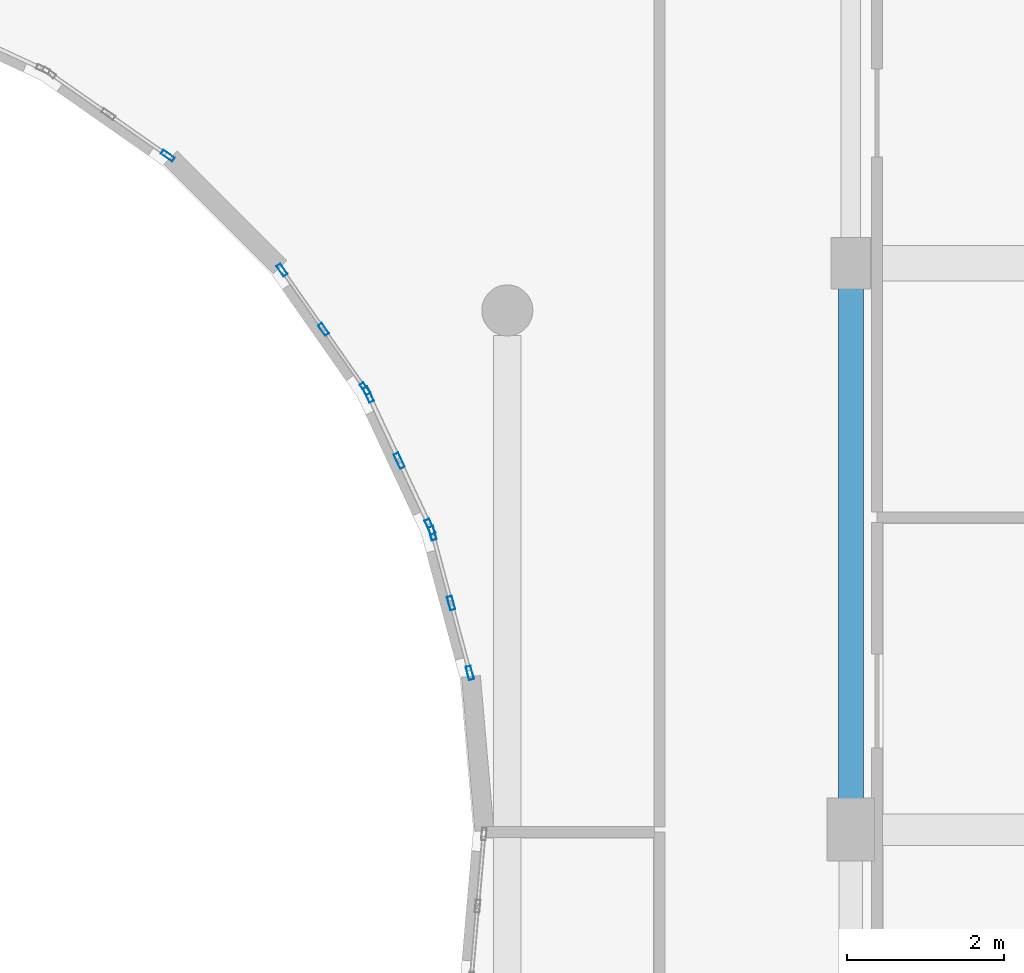
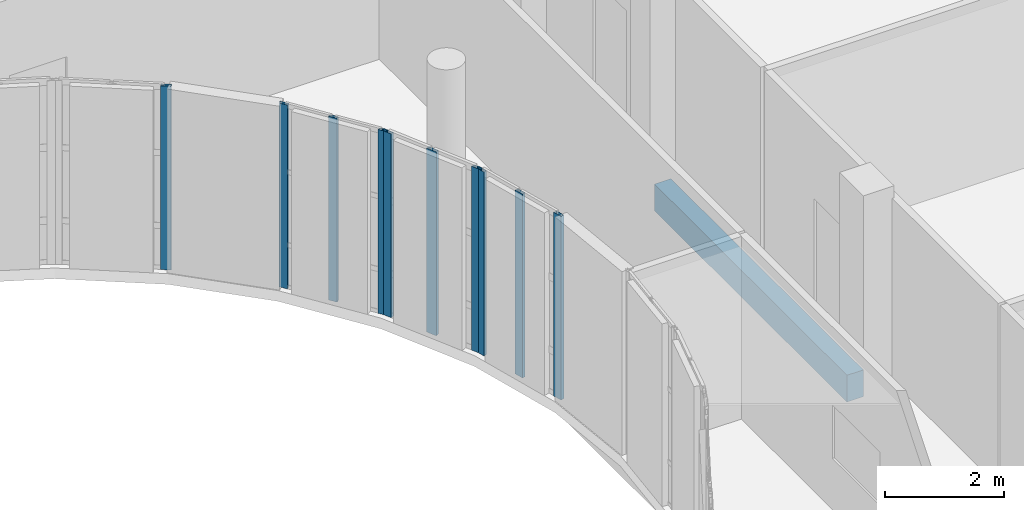
# One storey, part 33 of 89: 10 members, 1 beam, 4 elements without a shape of their own.
"""IFC4 building model written with IfcOpenShell, lengths in metres."""

from ifc_helpers import new_model, si_unit, direction, frame, origin, origin_2d, place, context, subcontext, project, spatial, rectangle, hollow_rectangle, extrude, material, layer, layer_set, material_profile, profile_set, type_object, element, aggregate, save


model = new_model("IFC4")

# Units and contexts
model_context = context("Model", 3, precision=1e-05, world=origin(), true_north=direction((0.0, 1.0)))
body_context = subcontext(model_context, "Body", "Model", "MODEL_VIEW")
ifc_project = project(units=[si_unit("LENGTHUNIT", "METRE"), si_unit("AREAUNIT", "SQUARE_METRE"), si_unit("VOLUMEUNIT", "CUBIC_METRE"), si_unit("PLANEANGLEUNIT", "RADIAN"), si_unit("MASSUNIT", "GRAM", prefix="KILO")], contexts=[model_context])

# Site, building, storey
site_placement = place(None, origin())
site = spatial("IfcSite", under=ifc_project, at=site_placement, CompositionType="ELEMENT")
building_placement = place(site_placement, origin())
building = spatial("IfcBuilding", under=site, at=building_placement, Name="Kelanivale Promenade Academy", CompositionType="ELEMENT")
storey_placement = place(building_placement, frame((0.0, 0.0, 12.199951171875)))
storey = spatial("IfcBuildingStorey", under=building, at=storey_placement, Name="L03", CompositionType="ELEMENT", Elevation=12.199951171875)

# Curtain wall, members
ifc_material_1 = material(Name="Bronze anodised aluminium and solar-control low-E glass", Category="aluminium")
ifc_layer_1 = layer(ifc_material_1, 0.169921875)
ifc_layer_set_1 = layer_set([ifc_layer_1], Name="Bronze anodised aluminium and solar-control low-E glass")
curtain_wall_type_1 = type_object("IfcCurtainWallType", Name="CW-13 Curtain Wall 1350mm Module", PredefinedType="USERDEFINED", material=ifc_layer_set_1)
curtain_wall_1_placement = place(storey_placement, origin())
curtain_wall_1 = element("IfcCurtainWall", 1, at=curtain_wall_1_placement, inside=storey, type_object=curtain_wall_type_1, Name="L03 courtyard curtain wall CW-13", ObjectType="COURTYARD SCREEN GLAZING", PredefinedType="USERDEFINED")
ifc_material_2 = material(Name="Bronze anodised aluminium EN AW-6063 T6", Category="aluminium")
ifc_material_profile_1 = material_profile(ifc_material_2, hollow_rectangle(XDim=0.06005859375, YDim=0.159912109375, WallThickness=0.00390625, at=origin_2d()), Name="ALU 60x160x4.0")
ifc_profile_set_1 = profile_set([ifc_material_profile_1], Name="Bronze anodised aluminium EN AW-6063 T6")
member_type_1 = type_object("IfcMemberType", Name="CWM-01 ALU 60x160x4.0", PredefinedType="MULLION", material=ifc_profile_set_1)
member_1_placement = place(storey_placement, frame((73.023681640625, 62.404541015625, 0.0), z_axis=(0.0, 0.0, 1.0), x_axis=(-0.819305982099, -0.573356527561, 0.0)))
member_1 = element("IfcMember", 2, at=member_1_placement, type_object=member_type_1, Name="CW-13 mullion 1", PredefinedType="MULLION", context=body_context, shape_type="SweptSolid", body=[
    extrude(hollow_rectangle(XDim=0.06005859375, YDim=0.159912109375, WallThickness=0.00390625, at=origin_2d()), origin(), (0.0, 0.0, 1.0), 3.780029296875),
])
member_2_placement = place(storey_placement, frame((72.49560546875, 63.159423828125, 0.0), z_axis=(0.0, 0.0, 1.0), x_axis=(-0.819305982099, -0.573356527561, 0.0)))
member_2 = element("IfcMember", 3, at=member_2_placement, type_object=member_type_1, Name="CW-13 mullion 2", PredefinedType="MULLION", context=body_context, shape_type="SweptSolid", body=[
    extrude(hollow_rectangle(XDim=0.06005859375, YDim=0.159912109375, WallThickness=0.00390625, at=origin_2d()), origin(), (0.0, 0.0, 1.0), 3.780029296875),
])
member_3_placement = place(storey_placement, frame((71.96728515625, 63.914306640625, 0.0), z_axis=(0.0, 0.0, 1.0), x_axis=(-0.819305982099, -0.573356527561, 0.0)))
member_3 = element("IfcMember", 4, at=member_3_placement, type_object=member_type_1, Name="CW-13 mullion 3", PredefinedType="MULLION", context=body_context, shape_type="SweptSolid", body=[
    extrude(hollow_rectangle(XDim=0.06005859375, YDim=0.159912109375, WallThickness=0.00390625, at=origin_2d()), origin(), (0.0, 0.0, 1.0), 3.780029296875),
])
aggregate(curtain_wall_1, [member_1, member_2, member_3])

# Curtain wall, member
ifc_layer_2 = layer(ifc_material_1, 0.179931640625)
ifc_layer_set_2 = layer_set([ifc_layer_2], Name="Bronze anodised aluminium and solar-control low-E glass")
curtain_wall_type_2 = type_object("IfcCurtainWallType", Name="CW-14 Curtain Wall 1500mm Module", PredefinedType="USERDEFINED", material=ifc_layer_set_2)
curtain_wall_2_placement = place(storey_placement, origin())
curtain_wall_2 = element("IfcCurtainWall", 5, at=curtain_wall_2_placement, inside=storey, type_object=curtain_wall_type_2, Name="L03 courtyard curtain wall CW-14", ObjectType="COURTYARD SCREEN GLAZING", PredefinedType="USERDEFINED")
ifc_material_profile_2 = material_profile(ifc_material_2, hollow_rectangle(XDim=0.06005859375, YDim=0.179931640625, WallThickness=0.00390625, at=origin_2d()), Name="ALU 60x180x4.0")
ifc_profile_set_2 = profile_set([ifc_material_profile_2], Name="Bronze anodised aluminium EN AW-6063 T6")
member_type_2 = type_object("IfcMemberType", Name="CWM-02 ALU 60x180x4.0", PredefinedType="MULLION", material=ifc_profile_set_2)
member_4_placement = place(storey_placement, frame((70.514404296875, 65.3671875, 0.0), z_axis=(0.0, 0.0, 1.0), x_axis=(-0.573356527561, -0.819305982099, 0.0)))
member_4 = element("IfcMember", 6, at=member_4_placement, type_object=member_type_2, Name="CW-14 mullion 1", PredefinedType="MULLION", context=body_context, shape_type="SweptSolid", body=[
    extrude(hollow_rectangle(XDim=0.06005859375, YDim=0.179931640625, WallThickness=0.00390625, at=origin_2d()), origin(), (0.0, 0.0, 1.0), 3.780029296875),
])
aggregate(curtain_wall_2, [member_4])

# Curtain wall, members
ifc_layer_3 = layer(ifc_material_1, 0.179931640625)
ifc_layer_set_3 = layer_set([ifc_layer_3], Name="Bronze anodised aluminium and solar-control low-E glass")
curtain_wall_type_3 = type_object("IfcCurtainWallType", Name="CW-11 Curtain Wall 1950mm Module", PredefinedType="USERDEFINED", material=ifc_layer_set_3)
curtain_wall_3_placement = place(storey_placement, origin())
curtain_wall_3 = element("IfcCurtainWall", 7, at=curtain_wall_3_placement, inside=storey, type_object=curtain_wall_type_3, Name="L03 courtyard curtain wall CW-11", ObjectType="UNITISED GLAZING", PredefinedType="USERDEFINED")
ifc_material_profile_3 = material_profile(ifc_material_2, hollow_rectangle(XDim=0.06494140625, YDim=0.175048828125, WallThickness=0.00390625, at=origin_2d()), Name="ALU 65x175x4.0")
ifc_profile_set_3 = profile_set([ifc_material_profile_3], Name="Bronze anodised aluminium EN AW-6063 T6")
member_type_3 = type_object("IfcMemberType", Name="CWM-03 ALU 65x175x4.0", PredefinedType="MULLION", material=ifc_profile_set_3)
member_5_placement = place(storey_placement, frame((74.355712890625, 58.79150390625, 0.0), z_axis=(0.0, 0.0, 1.0), x_axis=(-0.965990259056, -0.258578458902, 0.0)))
member_5 = element("IfcMember", 8, at=member_5_placement, type_object=member_type_3, Name="CW-11 mullion 1", PredefinedType="MULLION", context=body_context, shape_type="SweptSolid", body=[
    extrude(hollow_rectangle(XDim=0.06494140625, YDim=0.175048828125, WallThickness=0.00390625, at=origin_2d()), origin(), (0.0, 0.0, 1.0), 3.780029296875),
])
member_6_placement = place(storey_placement, frame((74.117919921875, 59.678955078125, 0.0), z_axis=(0.0, 0.0, 1.0), x_axis=(-0.965990259056, -0.258578458902, 0.0)))
member_6 = element("IfcMember", 9, at=member_6_placement, type_object=member_type_3, Name="CW-11 mullion 2", PredefinedType="MULLION", context=body_context, shape_type="SweptSolid", body=[
    extrude(hollow_rectangle(XDim=0.06494140625, YDim=0.175048828125, WallThickness=0.00390625, at=origin_2d()), origin(), (0.0, 0.0, 1.0), 3.780029296875),
])
member_7_placement = place(storey_placement, frame((73.88037109375, 60.566650390625, 0.0), z_axis=(0.0, 0.0, 1.0), x_axis=(-0.965990259056, -0.258578458902, 0.0)))
member_7 = element("IfcMember", 10, at=member_7_placement, type_object=member_type_3, Name="CW-11 mullion 3", PredefinedType="MULLION", context=body_context, shape_type="SweptSolid", body=[
    extrude(hollow_rectangle(XDim=0.06494140625, YDim=0.175048828125, WallThickness=0.00390625, at=origin_2d()), origin(), (0.0, 0.0, 1.0), 3.780029296875),
])
aggregate(curtain_wall_3, [member_5, member_6, member_7])

ifc_layer_4 = layer(ifc_material_1, 0.159912109375)
ifc_layer_set_4 = layer_set([ifc_layer_4], Name="Bronze anodised aluminium and solar-control low-E glass")
curtain_wall_type_4 = type_object("IfcCurtainWallType", Name="CW-12 Curtain Wall 1200mm Module", PredefinedType="USERDEFINED", material=ifc_layer_set_4)
curtain_wall_4_placement = place(storey_placement, origin())
curtain_wall_4 = element("IfcCurtainWall", 11, at=curtain_wall_4_placement, inside=storey, type_object=curtain_wall_type_4, Name="L03 courtyard curtain wall CW-12", ObjectType="UNITISED GLAZING", PredefinedType="USERDEFINED")
ifc_material_profile_4 = material_profile(ifc_material_2, hollow_rectangle(XDim=0.06494140625, YDim=0.199951171875, WallThickness=0.00439453125, at=origin_2d()), Name="ALU 65x200x4.5")
ifc_profile_set_4 = profile_set([ifc_material_profile_4], Name="Bronze anodised aluminium EN AW-6063 T6")
member_type_4 = type_object("IfcMemberType", Name="CWM-04 ALU 65x200x4.5", PredefinedType="MULLION", material=ifc_profile_set_4)
member_8_placement = place(storey_placement, frame((73.850341796875, 60.650390625, 0.0), z_axis=(0.0, 0.0, 1.0), x_axis=(-0.906196460032, -0.422856921222, 0.0)))
member_8 = element("IfcMember", 12, at=member_8_placement, type_object=member_type_4, Name="CW-12 mullion 1", PredefinedType="MULLION", context=body_context, shape_type="SweptSolid", body=[
    extrude(hollow_rectangle(XDim=0.06494140625, YDim=0.199951171875, WallThickness=0.00439453125, at=origin_2d()), origin(), (0.0, 0.0, 1.0), 3.780029296875),
])
member_9_placement = place(storey_placement, frame((73.45849609375, 61.489990234375, 0.0), z_axis=(0.0, 0.0, 1.0), x_axis=(-0.906196460032, -0.422856921222, 0.0)))
member_9 = element("IfcMember", 13, at=member_9_placement, type_object=member_type_4, Name="CW-12 mullion 2", PredefinedType="MULLION", context=body_context, shape_type="SweptSolid", body=[
    extrude(hollow_rectangle(XDim=0.06494140625, YDim=0.199951171875, WallThickness=0.00439453125, at=origin_2d()), origin(), (0.0, 0.0, 1.0), 3.780029296875),
])
member_10_placement = place(storey_placement, frame((73.066650390625, 62.32958984375, 0.0), z_axis=(0.0, 0.0, 1.0), x_axis=(-0.906196460032, -0.422856921222, 0.0)))
member_10 = element("IfcMember", 14, at=member_10_placement, type_object=member_type_4, Name="CW-12 mullion 3", PredefinedType="MULLION", context=body_context, shape_type="SweptSolid", body=[
    extrude(hollow_rectangle(XDim=0.06494140625, YDim=0.199951171875, WallThickness=0.00439453125, at=origin_2d()), origin(), (0.0, 0.0, 1.0), 3.780029296875),
])
aggregate(curtain_wall_4, [member_8, member_9, member_10])

# Beam
ifc_material_3 = material(Name="Concrete C35/45", Category="concrete")
ifc_material_profile_5 = material_profile(ifc_material_3, rectangle(XDim=0.320068359375, YDim=0.550048828125, at=origin_2d()), Name="RC-BM 320x550")
ifc_profile_set_5 = profile_set([ifc_material_profile_5], Name="Concrete C35/45")
beam_type = type_object("IfcBeamType", Name="JS-04 RC-BM 320x550", PredefinedType="JOIST", material=ifc_profile_set_5)
beam_placement = place(storey_placement, frame((79.199951171875, 57.195068359375, -0.494873046875), z_axis=(0.0, 1.0, 0.0), x_axis=(-1.0, 0.0, 0.0)))
element("IfcBeam", 15, at=beam_placement, inside=storey, type_object=beam_type, Name="L03 beam JS-04", PredefinedType="JOIST", context=body_context, shape_type="SweptSolid", body=[
    extrude(rectangle(XDim=0.320068359375, YDim=0.550048828125, at=origin_2d()), origin(), (0.0, 0.0, 1.0), 6.48486328125),
])

save(model, "model.ifc")
